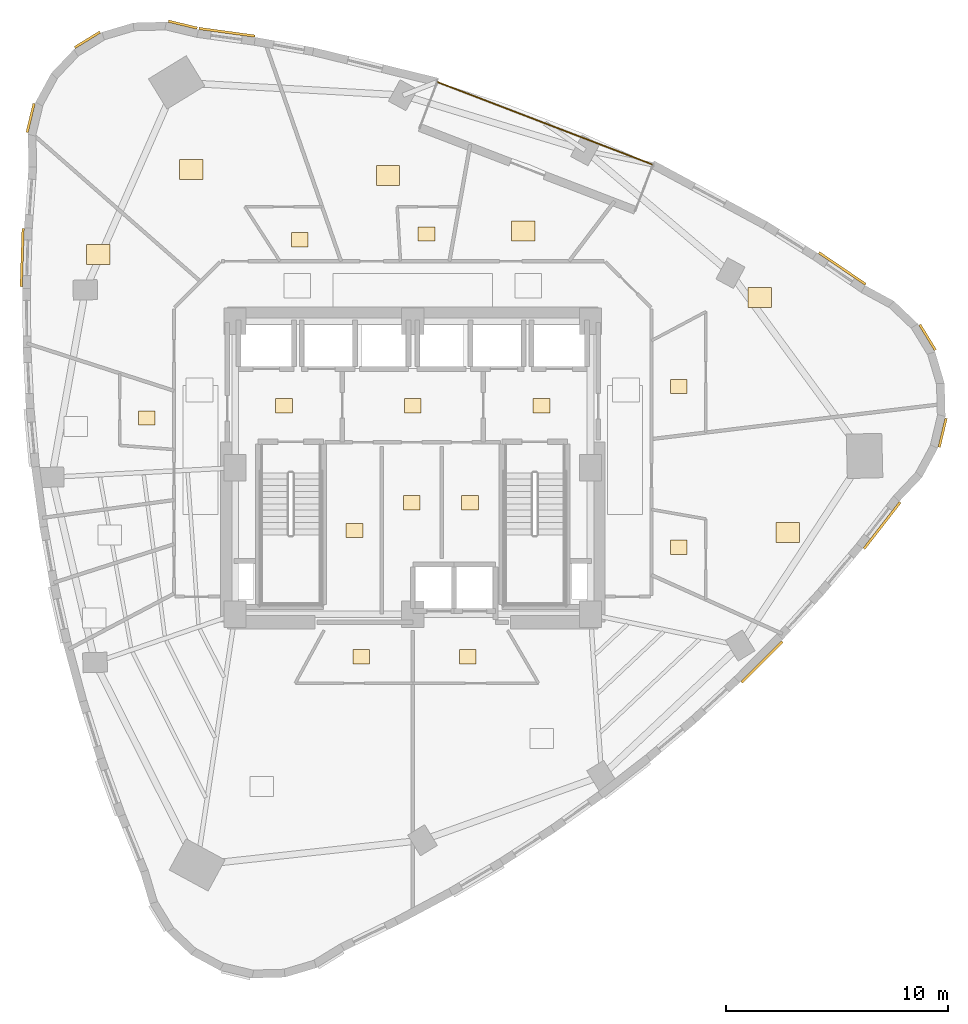
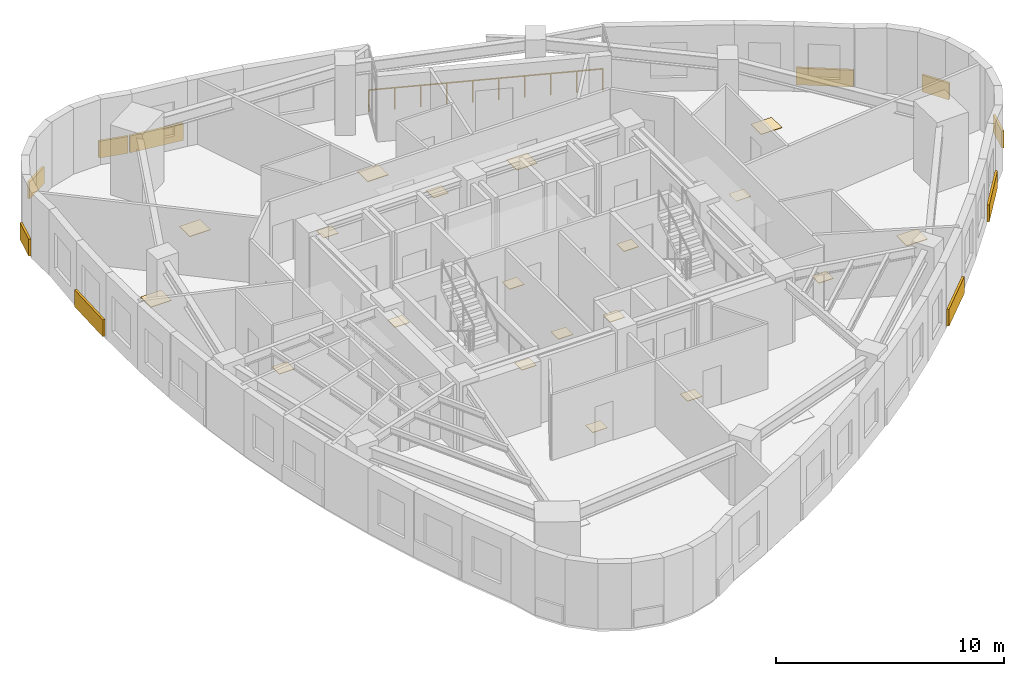
# One storey, part 12 of 12: 29 coverings, 1 railing.
"""IFC4 building model written with IfcOpenShell, lengths in metres."""

from ifc_helpers import new_model, si_unit, direction, frame, origin, origin_2d, place, context, subcontext, project, spatial, rectangle, circle, extrude, material, layer, layer_set, type_object, element, save


model = new_model("IFC4")

# Units and contexts
model_context = context("Model", 3, precision=1e-05, world=origin(), true_north=direction((0.0, 1.0)))
body_context = subcontext(model_context, "Body", "Model", "MODEL_VIEW")
ifc_project = project(units=[si_unit("LENGTHUNIT", "METRE"), si_unit("AREAUNIT", "SQUARE_METRE"), si_unit("VOLUMEUNIT", "CUBIC_METRE"), si_unit("PLANEANGLEUNIT", "RADIAN"), si_unit("MASSUNIT", "GRAM", prefix="KILO")], contexts=[model_context])

# Site, building, storey
site_placement = place(None, origin())
site = spatial("IfcSite", under=ifc_project, at=site_placement, CompositionType="ELEMENT")
building_placement = place(site_placement, origin())
building = spatial("IfcBuilding", under=site, at=building_placement, Name="Ndelora Gate Hotel", CompositionType="ELEMENT")
storey_placement = place(building_placement, frame((0.0, 0.0, 153.5)))
storey = spatial("IfcBuildingStorey", under=building, at=storey_placement, Name="L38", CompositionType="ELEMENT", Elevation=153.5)

# Coverings
ifc_material_1 = material(Name="Terracotta Fired Clay Brick Slip Cladding", Category="masonry")
ifc_layer_1 = layer(ifc_material_1, 0.110107421875)
ifc_layer_set_1 = layer_set([ifc_layer_1], Name="Terracotta Fired Clay Brick Slip Cladding")
covering_type_1 = type_object("IfcCoveringType", Name="COV-CLAD-BRK", PredefinedType="CLADDING", material=ifc_layer_set_1)
for number, where, z_axis, x_axis, name in (
    (1, (-10.35302734375, 19.953369140625, 0.10009765625), (0.0, 0.0, 1.0), (-0.972369920398, 0.233445363856, 0.0), "L38 Rounded-Corner Brick Cladding Band 1"),
    (2, (-14.651611328125, 19.272705078125, 0.10009765625), (0.0, 0.0, 1.0), (0.852640164354, 0.522498564716, 0.0), "L38 Rounded-Corner Brick Cladding Band 4"),
    (3, (-17.209716796875, 15.751708984375, 0.10009765625), (0.0, 0.0, 1.0), (0.233445363856, 0.972369920398, 0.0), "L38 Rounded-Corner Brick Cladding Band 7"),
):
    element("IfcCovering", number, at=place(storey_placement, frame(where, z_axis=z_axis, x_axis=x_axis)), inside=storey, type_object=covering_type_1, Name=name, PredefinedType="CLADDING", context=body_context, shape_type="SweptSolid", body=[
        extrude(rectangle(XDim=1.3359375, YDim=0.110107421875, at=origin_2d()), origin(), (0.0, 0.0, 1.0), 0.89990234375),
    ])
covering_1_placement = place(storey_placement, frame((-17.58935546875, 9.464111328125, 0.10009765625), z_axis=(0.0, 0.0, 1.0), x_axis=(0.03193409516, 0.999489976721, 0.0)))
element("IfcCovering", 4, at=covering_1_placement, inside=storey, type_object=covering_type_1, Name="L38 Rounded-Corner Brick Cladding Band 10", PredefinedType="CLADDING", context=body_context, shape_type="SweptSolid", body=[
    extrude(rectangle(XDim=2.626953125, YDim=0.110107421875, at=origin_2d()), origin(), (0.0, 0.0, 1.0), 0.89990234375),
])
covering_2_placement = place(storey_placement, frame((15.728759765625, -8.741943359375, 0.10009765625), z_axis=(0.0, 0.0, 1.0), x_axis=(0.706242359774, 0.707970147154, 0.0)))
element("IfcCovering", 5, at=covering_2_placement, inside=storey, type_object=covering_type_1, Name="L38 Rounded-Corner Brick Cladding Band 37", PredefinedType="CLADDING", context=body_context, shape_type="SweptSolid", body=[
    extrude(rectangle(XDim=2.593994140625, YDim=0.110107421875, at=origin_2d()), origin(), (0.0, 0.0, 1.0), 0.89990234375),
])
covering_3_placement = place(storey_placement, frame((21.133544921875, -2.600341796875, 0.10009765625), z_axis=(0.0, 0.0, 1.0), x_axis=(0.613458536509, 0.789726930011, 0.0)))
element("IfcCovering", 6, at=covering_3_placement, inside=storey, type_object=covering_type_1, Name="L38 Rounded-Corner Brick Cladding Band 40", PredefinedType="CLADDING", context=body_context, shape_type="SweptSolid", body=[
    extrude(rectangle(XDim=2.65087890625, YDim=0.110107421875, at=origin_2d()), origin(), (0.0, 0.0, 1.0), 0.89990234375),
])
for number, where, z_axis, x_axis, name in (
    (7, (23.861083984375, 1.575927734375, 0.10009765625), (0.0, 0.0, 1.0), (0.233445363856, 0.972369920398, 0.0), "L38 Rounded-Corner Brick Cladding Band 43"),
    (8, (23.180419921875, 5.87451171875, 0.10009765625), (0.0, 0.0, 1.0), (-0.522498564716, 0.852640164354, 0.0), "L38 Rounded-Corner Brick Cladding Band 46"),
):
    element("IfcCovering", number, at=place(storey_placement, frame(where, z_axis=z_axis, x_axis=x_axis)), inside=storey, type_object=covering_type_1, Name=name, PredefinedType="CLADDING", context=body_context, shape_type="SweptSolid", body=[
        extrude(rectangle(XDim=1.3359375, YDim=0.110107421875, at=origin_2d()), origin(), (0.0, 0.0, 1.0), 0.89990234375),
    ])
for number, where, z_axis, x_axis, name in (
    (9, (19.341796875, 8.973876953125, 0.10009765625), (0.0, 0.0, 1.0), (-0.826982459622, 0.562227722082, 0.0), "L38 Rounded-Corner Brick Cladding Band 49"),
    (10, (-8.369140625, 19.611083984375, 0.10009765625), (0.0, 0.0, 1.0), (-0.990771512217, 0.135542652249, 0.0), "L38 Rounded-Corner Brick Cladding Band 58"),
):
    element("IfcCovering", number, at=place(storey_placement, frame(where, z_axis=z_axis, x_axis=x_axis)), inside=storey, type_object=covering_type_1, Name=name, PredefinedType="CLADDING", context=body_context, shape_type="SweptSolid", body=[
        extrude(rectangle(XDim=2.5419921875, YDim=0.110107421875, at=origin_2d()), origin(), (0.0, 0.0, 1.0), 0.89990234375),
    ])
ifc_material_2 = material(Name="Engineered Highland Oak Parquet", Category="wood")
ifc_layer_2 = layer(ifc_material_2, 0.030029296875)
ifc_layer_set_2 = layer_set([ifc_layer_2], Name="Engineered Highland Oak Parquet")
covering_type_2 = type_object("IfcCoveringType", Name="COV-FLR-PARQ", PredefinedType="FLOORING", material=ifc_layer_set_2)
for number, where, z_axis, x_axis, name in (
    (11, (16.892822265625, -2.912841796875, 0.0), (0.0, 0.0, 1.0), (1.0, 0.0, 0.0), "L38 Corner Panorama Suite 4103 Oak Parquet Flooring"),
    (12, (15.628662109375, 7.661865234375, 0.0), (0.0, 0.0, 1.0), (1.0, 0.0, 0.0), "L38 Two-Bay Highland Suite 4104 Oak Parquet Flooring"),
    (13, (4.977783203125, 10.661376953125, 0.0), (0.0, 0.0, 1.0), (1.0, 0.0, 0.0), "L38 Sky Garden Tea Dining Room Oak Parquet Flooring"),
    (14, (-1.115478515625, 13.159423828125, 0.0), (0.0, 0.0, 1.0), (1.0, 0.0, 0.0), "L38 Corner Club Suite 4105 Oak Parquet Flooring"),
    (15, (-9.9697265625, 13.42431640625, 0.0), (0.0, 0.0, 1.0), (1.0, 0.0, 0.0), "L38 Club Superior Junior Suite 4106 Oak Parquet Flooring"),
    (16, (-14.156494140625, 9.60302734375, 0.0), (0.0, 0.0, 1.0), (1.0, 0.0, 0.0), "L38 Quiet Reading Library Oak Parquet Flooring"),
):
    element("IfcCovering", number, at=place(storey_placement, frame(where, z_axis=z_axis, x_axis=x_axis)), inside=storey, type_object=covering_type_2, Name=name, PredefinedType="FLOORING", context=body_context, shape_type="SweptSolid", body=[
        extrude(rectangle(XDim=1.050048828125, YDim=0.89990234375, at=origin_2d()), origin(), (0.0, 0.0, 1.0), 0.030029296875),
    ])
ifc_material_3 = material(Name="Non-Slip Porcelain Wet-Room Tile", Category="ceramic")
ifc_layer_3 = layer(ifc_material_3, 0.02490234375)
ifc_layer_set_3 = layer_set([ifc_layer_3], Name="Non-Slip Porcelain Wet-Room Tile")
covering_type_3 = type_object("IfcCoveringType", Name="COV-FLR-TILE", PredefinedType="FLOORING", material=ifc_layer_set_3)
for number, where, z_axis, x_axis, name in (
    (17, (-5.800048828125, 2.800048828125, 0.0), (0.0, 0.0, 1.0), (1.0, 0.0, 0.0), "L38 Firefighting Lift Lobby West Porcelain Tile Flooring"),
    (18, (5.800048828125, 2.800048828125, 0.0), (0.0, 0.0, 1.0), (1.0, 0.0, 0.0), "L38 Firefighting Lift Lobby East Porcelain Tile Flooring"),
    (19, (0.0, 2.800048828125, 0.0), (0.0, 0.0, 1.0), (1.0, 0.0, 0.0), "L38 Central Passenger Lift Lobby Porcelain Tile Flooring"),
    (20, (-2.625, -2.824951171875, 0.0), (0.0, 0.0, 1.0), (1.0, 0.0, 0.0), "L38 Core Cleaners Store Porcelain Tile Flooring"),
    (21, (-0.050048828125, -1.574951171875, 0.0), (0.0, 0.0, 1.0), (1.0, 0.0, 0.0), "L38 Core Telecoms Equipment Room Porcelain Tile Flooring"),
    (22, (2.574951171875, -1.574951171875, 0.0), (0.0, 0.0, 1.0), (1.0, 0.0, 0.0), "L38 Core Electrical Metering Room Porcelain Tile Flooring"),
    (23, (-2.318359375, -8.510009765625, 0.0), (0.0, 0.0, 1.0), (1.0, 0.0, 0.0), "L38 En-suite Bathroom 4101 Porcelain Tile Flooring"),
    (24, (2.47998046875, -8.510009765625, 0.0), (0.0, 0.0, 1.0), (1.0, 0.0, 0.0), "L38 En-suite Bathroom 4102 Porcelain Tile Flooring"),
    (25, (11.97509765625, -3.572998046875, 0.0), (0.0, 0.0, 1.0), (1.0, 0.0, 0.0), "L38 En-suite Bathroom 4103 Porcelain Tile Flooring"),
    (26, (11.97509765625, 3.659912109375, 0.0), (0.0, 0.0, 1.0), (1.0, 0.0, 0.0), "L38 En-suite Bathroom 4104 Porcelain Tile Flooring"),
    (27, (0.61962890625, 10.52490234375, 0.0), (0.0, 0.0, 1.0), (1.0, 0.0, 0.0), "L38 En-suite Bathroom 4105 Porcelain Tile Flooring"),
    (28, (-5.085693359375, 10.27197265625, 0.0), (0.0, 0.0, 1.0), (1.0, 0.0, 0.0), "L38 En-suite Bathroom 4106 Porcelain Tile Flooring"),
    (29, (-11.97509765625, 2.2412109375, 0.0), (0.0, 0.0, 1.0), (1.0, 0.0, 0.0), "L38 En-suite Bathroom 4107 Porcelain Tile Flooring"),
):
    element("IfcCovering", number, at=place(storey_placement, frame(where, z_axis=z_axis, x_axis=x_axis)), inside=storey, type_object=covering_type_3, Name=name, PredefinedType="FLOORING", context=body_context, shape_type="SweptSolid", body=[
        extrude(rectangle(XDim=0.75, YDim=0.64990234375, at=origin_2d()), origin(), (0.0, 0.0, 1.0), 0.02490234375),
    ])

# Railing
ifc_material_4 = material(Name="Laminated Safety Glass and Bronze Top Rail", Category="glass")
ifc_layer_4 = layer(ifc_material_4, 0.070068359375)
ifc_layer_set_4 = layer_set([ifc_layer_4], Name="Laminated Safety Glass and Bronze Top Rail")
railing_type = type_object("IfcRailingType", Name="RL-BAL-1150", PredefinedType="BALUSTRADE", material=ifc_layer_set_4)
railing_placement = place(storey_placement, frame((10.80908203125, 13.6484375, 0.0)))
element("IfcRailing", 30, at=railing_placement, inside=storey, type_object=railing_type, Name="L38 Sky-Garden Loggia Terrace Balustrade", PredefinedType="BALUSTRADE", context=body_context, shape_type="SweptSolid", body=[
    extrude(circle(Radius=0.02392578125, at=origin_2d()), frame((0.0, 0.0, 1.1357421875), z_axis=(-0.93357955321, 0.358370224529, 0.0), x_axis=(-0.358370224529, -0.93357955321, 0.0)), (0.0, 0.0, 1.0), 10.39990234375),
    extrude(circle(Radius=0.02099609375, at=origin_2d()), origin(), (0.0, 0.0, 1.0), 1.11181640625),
    extrude(circle(Radius=0.02099609375, at=origin_2d()), frame((-1.078857421875, 0.4140625, 0.0)), (0.0, 0.0, 1.0), 1.11181640625),
    extrude(circle(Radius=0.02099609375, at=origin_2d()), frame((-2.15771484375, 0.828125, 0.0)), (0.0, 0.0, 1.0), 1.11181640625),
    extrude(circle(Radius=0.02099609375, at=origin_2d()), frame((-3.236328125, 1.242431640625, 0.0)), (0.0, 0.0, 1.0), 1.11181640625),
    extrude(circle(Radius=0.02099609375, at=origin_2d()), frame((-4.315185546875, 1.656494140625, 0.0)), (0.0, 0.0, 1.0), 1.11181640625),
    extrude(circle(Radius=0.02099609375, at=origin_2d()), frame((-5.39404296875, 2.070556640625, 0.0)), (0.0, 0.0, 1.0), 1.11181640625),
    extrude(circle(Radius=0.02099609375, at=origin_2d()), frame((-6.472900390625, 2.484619140625, 0.0)), (0.0, 0.0, 1.0), 1.11181640625),
    extrude(circle(Radius=0.02099609375, at=origin_2d()), frame((-7.551513671875, 2.89892578125, 0.0)), (0.0, 0.0, 1.0), 1.11181640625),
    extrude(circle(Radius=0.02099609375, at=origin_2d()), frame((-8.63037109375, 3.31298828125, 0.0)), (0.0, 0.0, 1.0), 1.11181640625),
    extrude(circle(Radius=0.02099609375, at=origin_2d()), frame((-9.709228515625, 3.72705078125, 0.0)), (0.0, 0.0, 1.0), 1.11181640625),
])

save(model, "model.ifc")
